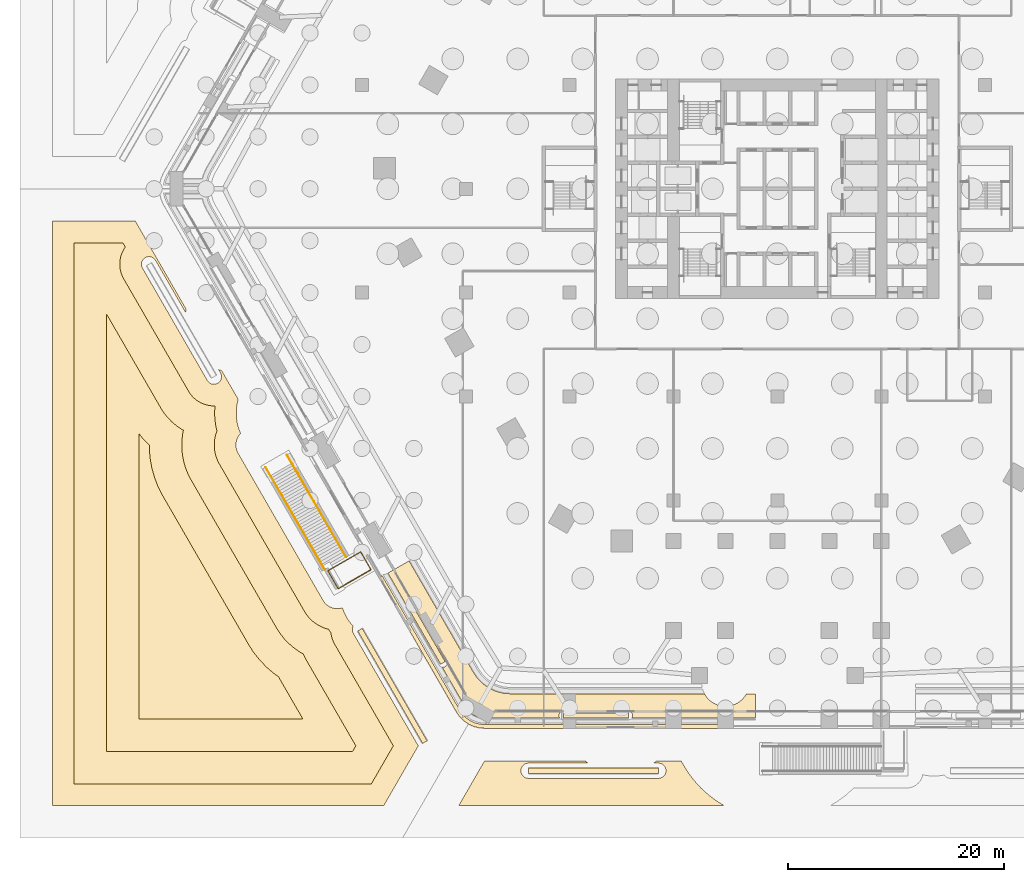
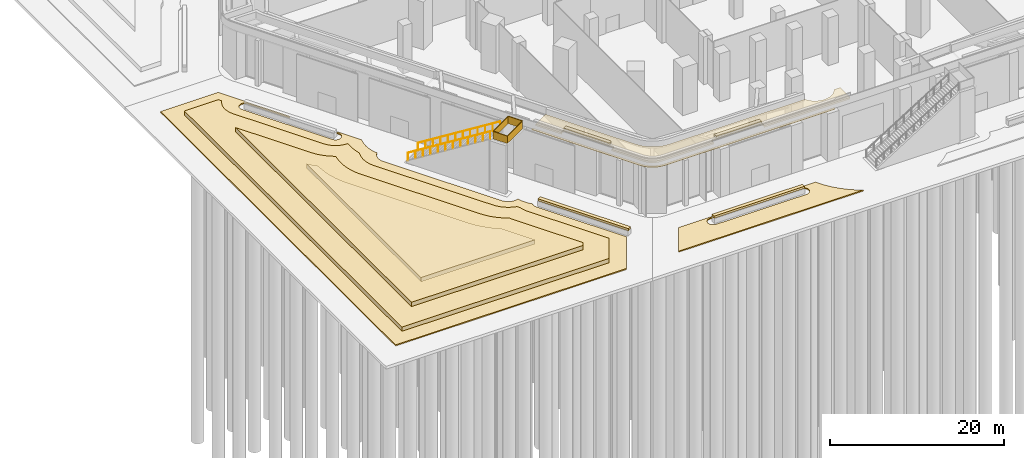
# One storey, part 61 of 68: 11 coverings, 3 railings.
"""IFC4 building model written with IfcOpenShell, lengths in metres."""

from ifc_helpers import new_model, si_unit, direction, frame, frame_2d, origin, origin_2d, place, context, subcontext, project, spatial, polyline, rectangle, circle, outline, extrude, material, layer, layer_set, type_object, element, save


model = new_model("IFC4")

# Units and contexts
model_context = context("Model", 3, precision=1e-05, world=origin(), true_north=direction((0.0, 1.0)))
body_context = subcontext(model_context, "Body", "Model", "MODEL_VIEW")
ifc_project = project(units=[si_unit("LENGTHUNIT", "METRE"), si_unit("AREAUNIT", "SQUARE_METRE"), si_unit("VOLUMEUNIT", "CUBIC_METRE"), si_unit("PLANEANGLEUNIT", "RADIAN"), si_unit("MASSUNIT", "GRAM", prefix="KILO")], contexts=[model_context])

# Site, building, storey
site_placement = place(None, origin())
site = spatial("IfcSite", under=ifc_project, at=site_placement, CompositionType="ELEMENT")
building_placement = place(site_placement, origin())
building = spatial("IfcBuilding", under=site, at=building_placement, Name="Kolab Exchange Tower", CompositionType="ELEMENT")
storey_placement = place(building_placement, origin())
storey = spatial("IfcBuildingStorey", under=building, at=storey_placement, Name="L00", CompositionType="ELEMENT", Elevation=0.0)

# Coverings
ifc_material_1 = material(Name="Planting soil and turf", Category="soil")
ifc_layer_1 = layer(ifc_material_1, 0.60009765625)
ifc_layer_set_1 = layer_set([ifc_layer_1], Name="Planting soil and turf")
covering_type_1 = type_object("IfcCoveringType", Name="GARDEN TERRACE STEP SOIL AND TURF 600", PredefinedType="USERDEFINED", material=ifc_layer_set_1)
covering_1_placement = place(storey_placement, frame((0.0, 0.0, 0.14990234375)))
element("IfcCovering", 1, at=covering_1_placement, inside=storey, type_object=covering_type_1, Name="Garden terrace step", ObjectType="PLANTING", PredefinedType="USERDEFINED", context=body_context, shape_type="SweptSolid", body=[
    extrude(outline(polyline([(-65.0, -5.0), (-60.48681640625, -5.0), (-60.262939453125, -5.3876953125), (-60.372314453125, -5.5458984375), (-60.501220703125, -5.777587890625), (-60.606689453125, -6.02099609375), (-60.687744140625, -6.2734375), (-60.743896484375, -6.53271484375), (-60.774169921875, -6.796142578125), (-60.778564453125, -7.061279296875), (-60.7568359375, -7.32568359375), (-60.709228515625, -7.586669921875), (-60.636474609375, -7.841552734375), (-60.5390625, -8.088134765625), (-60.4404296875, -8.280517578125), (-54.39111328125, -18.7578125), (-54.274169921875, -18.939453125), (-54.109375, -19.14697265625), (-53.9248046875, -19.337646484375), (-53.72265625, -19.50927734375), (-53.504638671875, -19.66015625), (-53.272705078125, -19.7890625), (-53.029541015625, -19.89453125), (-52.77685546875, -19.9755859375), (-52.517822265625, -20.031494140625), (-52.254150390625, -20.061767578125), (-51.989013671875, -20.066162109375), (-51.979736328125, -20.0654296875), (-51.984619140625, -20.09716796875), (-52.015869140625, -20.734619140625), (-51.984619140625, -21.3720703125), (-51.890869140625, -22.003173828125), (-51.79443359375, -22.387939453125), (-51.822021484375, -22.45166015625), (-51.92724609375, -22.77880859375), (-51.999755859375, -23.11474609375), (-52.0390625, -23.456298828125), (-52.044677734375, -23.7998046875), (-52.0166015625, -24.142333984375), (-51.955078125, -24.48046875), (-51.860595703125, -24.81103515625), (-51.734375, -25.130859375), (-51.599853515625, -25.392822265625), (-50.375244140625, -27.513671875), (-44.917724609375, -36.96630859375), (-43.690673828125, -39.091796875), (-43.531005859375, -39.33935546875), (-43.3173828125, -39.6083984375), (-43.078369140625, -39.85546875), (-42.816162109375, -40.077880859375), (-42.53369140625, -40.2734375), (-42.233154296875, -40.4404296875), (-41.917724609375, -40.5771484375), (-41.590576171875, -40.682373046875), (-41.481201171875, -40.705810546875), (-41.320068359375, -40.974853515625), (-41.260498046875, -41.054931640625), (-41.2568359375, -41.1005859375), (-41.209228515625, -41.361572265625), (-41.136474609375, -41.61669921875), (-41.0390625, -41.86328125), (-40.9404296875, -42.055419921875), (-35.497314453125, -51.483154296875), (-37.52783203125, -55.0), (-65.0, -55.0), (-65.0, -5.0)])), origin(), (0.0, 0.0, 1.0), 0.60009765625),
])
covering_2_placement = place(storey_placement, frame((0.0, 0.0, 0.75)))
element("IfcCovering", 2, at=covering_2_placement, inside=storey, type_object=covering_type_1, Name="Garden terrace step", ObjectType="PLANTING", PredefinedType="USERDEFINED", context=body_context, shape_type="SweptSolid", body=[
    extrude(outline(polyline([(-62.0, -11.578857421875), (-56.952392578125, -20.321533203125), (-56.715576171875, -20.68896484375), (-56.367431640625, -21.12744140625), (-55.97802734375, -21.52978515625), (-55.551025390625, -21.89208984375), (-55.090576171875, -22.2109375), (-54.89697265625, -22.318603515625), (-54.963134765625, -22.62548828125), (-55.0361328125, -23.259765625), (-55.046630859375, -23.898193359375), (-54.994384765625, -24.534423828125), (-54.880126953125, -25.16259765625), (-54.704833984375, -25.776611328125), (-54.47021484375, -26.370361328125), (-54.234619140625, -26.8291015625), (-52.973388671875, -29.013671875), (-47.515869140625, -38.46630859375), (-46.251953125, -40.655517578125), (-45.972412109375, -41.0888671875), (-45.57568359375, -41.5888671875), (-45.131591796875, -42.047607421875), (-44.644775390625, -42.460693359375), (-44.11962890625, -42.82421875), (-43.819091796875, -42.9912109375), (-43.77490234375, -43.102783203125), (-43.5751953125, -43.49169921875), (-38.96142578125, -51.483154296875), (-39.259765625, -52.0), (-62.0, -52.0), (-62.0, -11.578857421875)])), origin(), (0.0, 0.0, 1.0), 0.60009765625),
])
covering_3_placement = place(storey_placement, frame((0.0, 0.0, 1.35009765625)))
element("IfcCovering", 3, at=covering_3_placement, inside=storey, type_object=covering_type_1, Name="Garden terrace step", ObjectType="PLANTING", PredefinedType="USERDEFINED", context=body_context, shape_type="SweptSolid", body=[
    extrude(outline(polyline([(-59.0, -22.636474609375), (-58.625732421875, -23.10791015625), (-58.0439453125, -23.708984375), (-58.048583984375, -23.996337890625), (-57.972412109375, -24.926513671875), (-57.805419921875, -25.8447265625), (-57.549072265625, -26.741943359375), (-57.2060546875, -27.60986328125), (-56.86962890625, -28.26513671875), (-55.5712890625, -30.513671875), (-50.11376953125, -39.96630859375), (-48.813232421875, -42.21923828125), (-48.4140625, -42.83837890625), (-47.833740234375, -43.5693359375), (-47.184814453125, -44.239990234375), (-46.47314453125, -44.84375), (-46.115966796875, -45.091064453125), (-43.859130859375, -49.0), (-59.0, -49.0), (-59.0, -22.636474609375)])), origin(), (0.0, 0.0, 1.0), 0.599853515625),
])

# Railings
ifc_material_2 = material(Name="Steel S235", Category="steel")
railing_type = type_object("IfcRailingType", Name="GUARD 1100 GLASS BALUSTRADE AND STEEL TOP RAIL", PredefinedType="GUARDRAIL", material=ifc_material_2)
railing_1_placement = place(storey_placement, frame((-45.317626953125, -24.59375, 0.175048828125)))
element("IfcRailing", 4, at=railing_1_placement, inside=storey, type_object=railing_type, Name="Stair guard", PredefinedType="GUARDRAIL", context=body_context, shape_type="SweptSolid", body=[
    extrude(circle(Radius=0.02490234375, at=origin_2d()), frame((0.0, 0.0, 1.0751953125), z_axis=(0.423996697712, -0.73439170464, 0.52999587214), x_axis=(0.866027727466, 0.499995975244, 0.0)), (0.0, 0.0, 1.0), 12.87744140625),
    extrude(circle(Radius=0.02001953125, at=origin_2d()), origin(), (0.0, 0.0, 1.0), 1.050048828125),
    extrude(circle(Radius=0.02001953125, at=origin_2d()), frame((0.496337890625, -0.859619140625, 0.620361328125)), (0.0, 0.0, 1.0), 1.050048828125),
    extrude(circle(Radius=0.02001953125, at=origin_2d()), frame((0.99267578125, -1.719482421875, 1.240966796875)), (0.0, 0.0, 1.0), 1.050048828125),
    extrude(circle(Radius=0.02001953125, at=origin_2d()), frame((1.489013671875, -2.5791015625, 1.861328125)), (0.0, 0.0, 1.0), 1.050048828125),
    extrude(circle(Radius=0.02001953125, at=origin_2d()), frame((1.9853515625, -3.43896484375, 2.481689453125)), (0.0, 0.0, 1.0), 1.050048828125),
    extrude(circle(Radius=0.02001953125, at=origin_2d()), frame((2.481689453125, -4.298583984375, 3.102294921875)), (0.0, 0.0, 1.0), 1.050048828125),
    extrude(circle(Radius=0.02001953125, at=origin_2d()), frame((2.978271484375, -5.158447265625, 3.72265625)), (0.0, 0.0, 1.0), 1.050048828125),
    extrude(circle(Radius=0.02001953125, at=origin_2d()), frame((3.474609375, -6.01806640625, 4.34326171875)), (0.0, 0.0, 1.0), 1.050048828125),
    extrude(circle(Radius=0.02001953125, at=origin_2d()), frame((3.970947265625, -6.8779296875, 4.963623046875)), (0.0, 0.0, 1.0), 1.050048828125),
    extrude(circle(Radius=0.02001953125, at=origin_2d()), frame((4.46728515625, -7.737548828125, 5.583984375)), (0.0, 0.0, 1.0), 1.050048828125),
    extrude(circle(Radius=0.02001953125, at=origin_2d()), frame((4.963623046875, -8.597412109375, 6.20458984375)), (0.0, 0.0, 1.0), 1.050048828125),
    extrude(circle(Radius=0.02001953125, at=origin_2d()), frame((5.4599609375, -9.45703125, 6.824951171875)), (0.0, 0.0, 1.0), 1.050048828125),
])
railing_2_placement = place(storey_placement, frame((-47.292236328125, -25.733642578125, 0.175048828125)))
element("IfcRailing", 5, at=railing_2_placement, inside=storey, type_object=railing_type, Name="Stair guard", PredefinedType="GUARDRAIL", context=body_context, shape_type="SweptSolid", body=[
    extrude(circle(Radius=0.02490234375, at=origin_2d()), frame((0.0, 0.0, 1.0751953125), z_axis=(0.424012248117, -0.734385801165, 0.52999161172), x_axis=(0.866018046521, 0.500012742938, 0.0)), (0.0, 0.0, 1.0), 12.87744140625),
    extrude(circle(Radius=0.02001953125, at=origin_2d()), origin(), (0.0, 0.0, 1.0), 1.050048828125),
    extrude(circle(Radius=0.02001953125, at=origin_2d()), frame((0.496337890625, -0.859619140625, 0.620361328125)), (0.0, 0.0, 1.0), 1.050048828125),
    extrude(circle(Radius=0.02001953125, at=origin_2d()), frame((0.99267578125, -1.719482421875, 1.240966796875)), (0.0, 0.0, 1.0), 1.050048828125),
    extrude(circle(Radius=0.02001953125, at=origin_2d()), frame((1.4892578125, -2.5791015625, 1.861328125)), (0.0, 0.0, 1.0), 1.050048828125),
    extrude(circle(Radius=0.02001953125, at=origin_2d()), frame((1.985595703125, -3.43896484375, 2.481689453125)), (0.0, 0.0, 1.0), 1.050048828125),
    extrude(circle(Radius=0.02001953125, at=origin_2d()), frame((2.48193359375, -4.298583984375, 3.102294921875)), (0.0, 0.0, 1.0), 1.050048828125),
    extrude(circle(Radius=0.02001953125, at=origin_2d()), frame((2.978271484375, -5.158447265625, 3.72265625)), (0.0, 0.0, 1.0), 1.050048828125),
    extrude(circle(Radius=0.02001953125, at=origin_2d()), frame((3.474609375, -6.01806640625, 4.34326171875)), (0.0, 0.0, 1.0), 1.050048828125),
    extrude(circle(Radius=0.02001953125, at=origin_2d()), frame((3.970947265625, -6.8779296875, 4.963623046875)), (0.0, 0.0, 1.0), 1.050048828125),
    extrude(circle(Radius=0.02001953125, at=origin_2d()), frame((4.467529296875, -7.737548828125, 5.583984375)), (0.0, 0.0, 1.0), 1.050048828125),
    extrude(circle(Radius=0.02001953125, at=origin_2d()), frame((4.9638671875, -8.597412109375, 6.20458984375)), (0.0, 0.0, 1.0), 1.050048828125),
    extrude(circle(Radius=0.02001953125, at=origin_2d()), frame((5.460205078125, -9.45703125, 6.824951171875)), (0.0, 0.0, 1.0), 1.050048828125),
])
railing_3_placement = place(storey_placement, frame((-37.5615234375, -35.207763671875, 7.0)))
element("IfcRailing", 6, at=railing_3_placement, inside=storey, type_object=railing_type, Name="Landing guard", PredefinedType="GUARDRAIL", context=body_context, shape_type="SweptSolid", body=[
    extrude(rectangle(XDim=0.05, YDim=0.05, at=origin_2d()), frame((0.0, 0.0, 1.0751953125), z_axis=(-0.866019471182, -0.500010275428, 0.0), x_axis=(0.500010275428, -0.866019471182, 0.0)), (0.0, 0.0, 1.0), 3.5),
    extrude(rectangle(XDim=0.012, YDim=1.05009765625, at=frame_2d((0.0, 0.525146484375))), frame((0.0, 0.0, 0.0), z_axis=(-0.866019471182, -0.500010275428, 0.0), x_axis=(0.500010275428, -0.866019471182, 0.0)), (0.0, 0.0, 1.0), 3.5),
    extrude(rectangle(XDim=0.05, YDim=0.05, at=origin_2d()), frame((-3.031005859375, -1.75, 1.0751953125), z_axis=(-0.50002564956, 0.866010594497, 0.0), x_axis=(-0.866010594497, -0.50002564956, 0.0)), (0.0, 0.0, 1.0), 1.9052734375),
    extrude(rectangle(XDim=0.012, YDim=1.05009765625, at=frame_2d((0.0, 0.525146484375))), frame((-3.031005859375, -1.75, 0.0), z_axis=(-0.50002564956, 0.866010594497, 0.0), x_axis=(-0.866010594497, -0.50002564956, 0.0)), (0.0, 0.0, 1.0), 1.9052734375),
    extrude(rectangle(XDim=0.05, YDim=0.05, at=origin_2d()), frame((-3.983642578125, -0.10009765625, 1.0751953125), z_axis=(0.866036909293, 0.499980071345, 0.0), x_axis=(-0.499980071345, 0.866036909293, 0.0)), (0.0, 0.0, 1.0), 3.500244140625),
    extrude(rectangle(XDim=0.012, YDim=1.05009765625, at=frame_2d((0.0, 0.525146484375))), frame((-3.983642578125, -0.10009765625, 0.0), z_axis=(0.866036909293, 0.499980071345, 0.0), x_axis=(-0.499980071345, 0.866036909293, 0.0)), (0.0, 0.0, 1.0), 3.500244140625),
    extrude(rectangle(XDim=0.05, YDim=0.05, at=origin_2d()), frame((-0.952392578125, 1.64990234375, 1.0751953125), z_axis=(0.499929534118, -0.866066083458, 0.0), x_axis=(0.866066083458, 0.499929534118, 0.0)), (0.0, 0.0, 1.0), 1.905029296875),
    extrude(rectangle(XDim=0.012, YDim=1.05009765625, at=frame_2d((0.0, 0.525146484375))), frame((-0.952392578125, 1.64990234375, 0.0), z_axis=(0.499929534118, -0.866066083458, 0.0), x_axis=(0.866066083458, 0.499929534118, 0.0)), (0.0, 0.0, 1.0), 1.905029296875),
])

# Coverings
ifc_layer_2 = layer(ifc_material_1, 0.25)
ifc_layer_set_2 = layer_set([ifc_layer_2], Name="Planting soil and turf")
covering_type_2 = type_object("IfcCoveringType", Name="PLANTING SOIL AND TURF 250", PredefinedType="USERDEFINED", material=ifc_layer_set_2)
covering_4_placement = place(storey_placement, frame((0.0, 0.0, 7.0)))
element("IfcCovering", 7, at=covering_4_placement, inside=storey, type_object=covering_type_2, Name="Planting soil and turf", ObjectType="PLANTING", PredefinedType="USERDEFINED", context=body_context, shape_type="SweptSolid", body=[
    extrude(outline(polyline([(-28.068115234375, -44.737060546875), (-27.696533203125, -45.267578125), (-27.209228515625, -45.7548828125), (-26.644775390625, -46.150146484375), (-26.020263671875, -46.44140625), (-25.3544921875, -46.61962890625), (-24.70947265625, -46.676025390625), (-6.732421875, -46.676025390625), (-6.629150390625, -46.848388671875), (-6.500732421875, -47.021728515625), (-6.355712890625, -47.181884765625), (-6.195556640625, -47.32666015625), (-6.022216796875, -47.455322265625), (-5.837158203125, -47.56640625), (-5.641845703125, -47.65869140625), (-5.438720703125, -47.7314453125), (-5.229248046875, -47.783935546875), (-5.015625, -47.8154296875), (-4.800048828125, -47.826171875), (-4.58447265625, -47.8154296875), (-4.370849609375, -47.783935546875), (-4.161376953125, -47.7314453125), (-3.9580078125, -47.65869140625), (-3.762939453125, -47.56640625), (-3.57763671875, -47.455322265625), (-3.404296875, -47.32666015625), (-3.244384765625, -47.181884765625), (-3.099365234375, -47.021728515625), (-2.970703125, -46.848388671875), (-2.867431640625, -46.676025390625), (-2.0400390625, -46.676025390625), (-2.0400390625, -48.93310546875), (-13.47021484375, -48.93310546875), (-13.449462890625, -48.9052734375), (-13.429443359375, -48.87158203125), (-13.41259765625, -48.836181640625), (-13.3994140625, -48.799072265625), (-13.389892578125, -48.760986328125), (-13.384033203125, -48.72216796875), (-13.382080078125, -48.68310546875), (-13.384033203125, -48.643798828125), (-13.389892578125, -48.60498046875), (-13.3994140625, -48.56689453125), (-13.41259765625, -48.530029296875), (-13.429443359375, -48.494384765625), (-13.449462890625, -48.4609375), (-13.472900390625, -48.42919921875), (-13.499267578125, -48.400146484375), (-13.5283203125, -48.373779296875), (-13.559814453125, -48.3505859375), (-13.593505859375, -48.330322265625), (-13.629150390625, -48.3134765625), (-13.666015625, -48.30029296875), (-13.7041015625, -48.290771484375), (-13.742919921875, -48.284912109375), (-13.7822265625, -48.282958984375), (-19.7822265625, -48.282958984375), (-19.8212890625, -48.284912109375), (-19.860107421875, -48.290771484375), (-19.898193359375, -48.30029296875), (-19.935302734375, -48.3134765625), (-19.970703125, -48.330322265625), (-20.00439453125, -48.3505859375), (-20.035888671875, -48.373779296875), (-20.06494140625, -48.400146484375), (-20.09130859375, -48.42919921875), (-20.11474609375, -48.4609375), (-20.135009765625, -48.494384765625), (-20.151611328125, -48.530029296875), (-20.164794921875, -48.56689453125), (-20.174560546875, -48.60498046875), (-20.18017578125, -48.643798828125), (-20.18212890625, -48.68310546875), (-20.18017578125, -48.72216796875), (-20.174560546875, -48.760986328125), (-20.164794921875, -48.799072265625), (-20.151611328125, -48.836181640625), (-20.135009765625, -48.87158203125), (-20.11474609375, -48.9052734375), (-20.09423828125, -48.93310546875), (-27.0263671875, -48.93310546875), (-27.42333984375, -48.8984375), (-27.767822265625, -48.805908203125), (-28.091064453125, -48.6552734375), (-28.38330078125, -48.45068359375), (-28.635498046875, -48.198486328125), (-28.864013671875, -47.8720703125), (-30.976806640625, -44.212646484375), (-30.9423828125, -44.216552734375), (-30.9033203125, -44.21728515625), (-30.864013671875, -44.214111328125), (-30.825439453125, -44.20703125), (-30.787841796875, -44.1962890625), (-30.751220703125, -44.181884765625), (-30.71630859375, -44.163818359375), (-30.683349609375, -44.142578125), (-30.652587890625, -44.1181640625), (-30.624267578125, -44.091064453125), (-30.598876953125, -44.06103515625), (-30.57666015625, -44.02880859375), (-30.5576171875, -43.994384765625), (-30.5419921875, -43.95849609375), (-30.530029296875, -43.921142578125), (-30.521728515625, -43.882568359375), (-30.51708984375, -43.84375), (-30.5166015625, -43.804443359375), (-30.519775390625, -43.765380859375), (-30.52685546875, -43.7265625), (-30.53759765625, -43.68896484375), (-30.552001953125, -43.65234375), (-30.56982421875, -43.617431640625), (-33.56982421875, -38.42138671875), (-33.591064453125, -38.388427734375), (-33.615478515625, -38.357666015625), (-33.642822265625, -38.329345703125), (-33.6728515625, -38.303955078125), (-33.705078125, -38.28173828125), (-33.739501953125, -38.2626953125), (-33.775390625, -38.2470703125), (-33.812744140625, -38.235107421875), (-33.85107421875, -38.226806640625), (-33.89013671875, -38.22216796875), (-33.929443359375, -38.2216796875), (-33.968505859375, -38.224853515625), (-34.007080078125, -38.231689453125), (-34.044921875, -38.24267578125), (-34.081298828125, -38.257080078125), (-34.1162109375, -38.27490234375), (-34.1494140625, -38.296142578125), (-34.179931640625, -38.320556640625), (-34.208251953125, -38.347900390625), (-34.233642578125, -38.3779296875), (-34.256103515625, -38.41015625), (-34.275146484375, -38.4443359375), (-34.288818359375, -38.47607421875), (-35.997314453125, -35.51708984375), (-34.042724609375, -34.388671875), (-28.068115234375, -44.737060546875)])), origin(), (0.0, 0.0, 1.0), 0.25),
])
covering_5_placement = place(storey_placement, frame((0.0, 0.0, 7.699951171875)))
element("IfcCovering", 8, at=covering_5_placement, inside=storey, type_object=covering_type_2, Name="Planting soil and turf", ObjectType="PLANTING", PredefinedType="USERDEFINED", context=body_context, shape_type="SweptSolid", body=[
    extrude(outline(polyline([(-19.7822265625, -48.923095703125), (-19.7822265625, -48.443115234375), (-13.7822265625, -48.443115234375), (-13.7822265625, -48.923095703125), (-19.7822265625, -48.923095703125)])), origin(), (0.0, 0.0, 1.0), 0.300048828125),
])
covering_6_placement = place(storey_placement, frame((0.0, 0.0, 7.699951171875)))
element("IfcCovering", 9, at=covering_6_placement, inside=storey, type_object=covering_type_2, Name="Planting soil and turf", ObjectType="PLANTING", PredefinedType="USERDEFINED", context=body_context, shape_type="SweptSolid", body=[
    extrude(outline(polyline([(-34.123779296875, -38.7412109375), (-33.7080078125, -38.501220703125), (-30.7080078125, -43.697265625), (-31.123779296875, -43.937255859375), (-34.123779296875, -38.7412109375)])), origin(), (0.0, 0.0, 1.0), 0.300048828125),
])
covering_7_placement = place(storey_placement, frame((0.0, 0.0, 0.699951171875)))
element("IfcCovering", 10, at=covering_7_placement, inside=storey, type_object=covering_type_2, Name="Planting soil and turf", ObjectType="PLANTING", PredefinedType="USERDEFINED", context=body_context, shape_type="SweptSolid", body=[
    extrude(outline(polyline([(-23.0, -54.02294921875), (-23.0, -53.54296875), (-11.0, -53.54296875), (-11.0, -54.02294921875), (-23.0, -54.02294921875)])), origin(), (0.0, 0.0, 1.0), 0.300048828125),
])
covering_8_placement = place(storey_placement, frame((0.0, 0.0, 0.699951171875)))
element("IfcCovering", 11, at=covering_8_placement, inside=storey, type_object=covering_type_2, Name="Planting soil and turf", ObjectType="PLANTING", PredefinedType="USERDEFINED", context=body_context, shape_type="SweptSolid", body=[
    extrude(outline(polyline([(-38.785400390625, -40.867919921875), (-38.36962890625, -40.6279296875), (-32.36962890625, -51.020263671875), (-32.785400390625, -51.26025390625), (-38.785400390625, -40.867919921875)])), origin(), (0.0, 0.0, 1.0), 0.300048828125),
])
covering_9_placement = place(storey_placement, origin())
element("IfcCovering", 12, at=covering_9_placement, inside=storey, type_object=covering_type_2, Name="Planting soil and turf", ObjectType="PLANTING", PredefinedType="USERDEFINED", context=body_context, shape_type="SweptSolid", body=[
    extrude(outline(polyline([(-67.0, -3.0), (-59.33203125, -3.0), (-54.6279296875, -11.147705078125), (-54.69775390625, -11.4267578125), (-57.47119140625, -6.623046875), (-57.508544921875, -6.565185546875), (-57.55126953125, -6.511474609375), (-57.598876953125, -6.462158203125), (-57.6513671875, -6.41748046875), (-57.707763671875, -6.37841796875), (-57.767822265625, -6.34521484375), (-57.830810546875, -6.31787109375), (-57.896240234375, -6.296875), (-57.96337890625, -6.2822265625), (-58.03173828125, -6.2744140625), (-58.100341796875, -6.2734375), (-58.1689453125, -6.279052734375), (-58.236572265625, -6.291259765625), (-58.302490234375, -6.31005859375), (-58.366455078125, -6.33544921875), (-58.427490234375, -6.36669921875), (-58.4853515625, -6.404052734375), (-58.5390625, -6.44677734375), (-58.58837890625, -6.494384765625), (-58.6328125, -6.546875), (-58.671875, -6.603271484375), (-58.705322265625, -6.663330078125), (-58.732666015625, -6.726318359375), (-58.753662109375, -6.791748046875), (-58.76806640625, -6.85888671875), (-58.77587890625, -6.92724609375), (-58.777099609375, -6.995849609375), (-58.771484375, -7.064208984375), (-58.75927734375, -7.1318359375), (-58.740234375, -7.197998046875), (-58.715087890625, -7.261962890625), (-58.683837890625, -7.322998046875), (-52.683837890625, -17.71533203125), (-52.646484375, -17.77294921875), (-52.603759765625, -17.826904296875), (-52.555908203125, -17.876220703125), (-52.503662109375, -17.920654296875), (-52.447265625, -17.959716796875), (-52.38720703125, -17.9931640625), (-52.323974609375, -18.0205078125), (-52.2587890625, -18.04150390625), (-52.19140625, -18.055908203125), (-52.123291015625, -18.063720703125), (-52.0546875, -18.06494140625), (-51.986083984375, -18.059326171875), (-51.91845703125, -18.046875), (-51.8525390625, -18.028076171875), (-51.78857421875, -18.0029296875), (-51.7275390625, -17.971435546875), (-51.669677734375, -17.934326171875), (-51.615966796875, -17.8916015625), (-51.566650390625, -17.84375), (-51.522216796875, -17.79150390625), (-51.483154296875, -17.73486328125), (-51.44970703125, -17.6748046875), (-51.42236328125, -17.61181640625), (-51.4013671875, -17.54638671875), (-51.386962890625, -17.479248046875), (-51.37890625, -17.4111328125), (-51.3779296875, -17.34228515625), (-51.383544921875, -17.27392578125), (-51.395751953125, -17.206298828125), (-51.41455078125, -17.14013671875), (-51.43994140625, -17.076416015625), (-51.47119140625, -17.01513671875), (-51.642333984375, -16.71875), (-51.61962890625, -16.72705078125), (-51.370849609375, -16.789306640625), (-49.827880859375, -19.461669921875), (-49.927001953125, -19.856689453125), (-49.99169921875, -20.29345703125), (-50.013427734375, -20.734619140625), (-49.99169921875, -21.17578125), (-49.927001953125, -21.612548828125), (-49.819580078125, -22.040771484375), (-49.6708984375, -22.456787109375), (-49.594970703125, -22.6171875), (-49.638916015625, -22.659912109375), (-49.734130859375, -22.772216796875), (-49.81787109375, -22.89306640625), (-49.889404296875, -23.021728515625), (-49.947998046875, -23.156982421875), (-49.992919921875, -23.297119140625), (-50.024169921875, -23.44091796875), (-50.040771484375, -23.587158203125), (-50.043212890625, -23.734375), (-50.03125, -23.881103515625), (-50.0048828125, -24.02587890625), (-49.964599609375, -24.16748046875), (-49.910400390625, -24.304443359375), (-49.84326171875, -24.435302734375), (-48.64306640625, -26.513671875), (-48.64306640625, -26.513671875), (-48.64306640625, -26.513671875), (-43.185546875, -35.96630859375), (-43.185546875, -35.96630859375), (-41.983154296875, -38.04931640625), (-41.9033203125, -38.1728515625), (-41.811767578125, -38.288330078125), (-41.70947265625, -38.39404296875), (-41.59716796875, -38.4892578125), (-41.476318359375, -38.572998046875), (-41.34765625, -38.64453125), (-41.21240234375, -38.703125), (-41.072265625, -38.748046875), (-40.928466796875, -38.779052734375), (-40.7822265625, -38.7958984375), (-40.635009765625, -38.79833984375), (-40.48828125, -38.786376953125), (-40.343505859375, -38.760009765625), (-40.201904296875, -38.719482421875), (-40.201416015625, -38.719482421875), (-40.07080078125, -39.08447265625), (-39.882080078125, -39.483642578125), (-39.655029296875, -39.8623046875), (-39.391845703125, -40.217041015625), (-39.199951171875, -40.4287109375), (-39.205322265625, -40.438232421875), (-39.232666015625, -40.50146484375), (-39.253662109375, -40.566650390625), (-39.26806640625, -40.6337890625), (-39.27587890625, -40.7021484375), (-39.277099609375, -40.770751953125), (-39.271484375, -40.83935546875), (-39.25927734375, -40.906982421875), (-39.240234375, -40.972900390625), (-39.215087890625, -41.036865234375), (-39.183837890625, -41.097900390625), (-33.187744140625, -51.483154296875), (-36.373046875, -57.0), (-67.0, -57.0), (-67.0, -3.0)])), origin(), (0.0, 0.0, 1.0), 0.14990234375),
])
covering_10_placement = place(storey_placement, origin())
element("IfcCovering", 13, at=covering_10_placement, inside=storey, type_object=covering_type_2, Name="Planting soil and turf", ObjectType="PLANTING", PredefinedType="USERDEFINED", context=body_context, shape_type="SweptSolid", body=[
    extrude(outline(polyline([(-17.731201171875, -52.883056640625), (-17.656982421875, -52.965087890625), (-17.52685546875, -53.0830078125), (-23.0, -53.0830078125), (-23.068603515625, -53.08642578125), (-23.136474609375, -53.096435546875), (-23.203125, -53.11328125), (-23.267822265625, -53.13623046875), (-23.330078125, -53.165771484375), (-23.388916015625, -53.200927734375), (-23.444091796875, -53.241943359375), (-23.494873046875, -53.2880859375), (-23.541015625, -53.3388671875), (-23.58203125, -53.39404296875), (-23.617431640625, -53.453125), (-23.646728515625, -53.51513671875), (-23.669921875, -53.579833984375), (-23.6865234375, -53.646484375), (-23.696533203125, -53.71435546875), (-23.699951171875, -53.782958984375), (-23.696533203125, -53.8515625), (-23.6865234375, -53.919677734375), (-23.669921875, -53.986328125), (-23.646728515625, -54.051025390625), (-23.617431640625, -54.113037109375), (-23.58203125, -54.171875), (-23.541015625, -54.22705078125), (-23.494873046875, -54.278076171875), (-23.444091796875, -54.32421875), (-23.388916015625, -54.364990234375), (-23.330078125, -54.400390625), (-23.267822265625, -54.4296875), (-23.203125, -54.452880859375), (-23.136474609375, -54.4697265625), (-23.068603515625, -54.479736328125), (-23.0, -54.483154296875), (-11.0, -54.483154296875), (-10.931396484375, -54.479736328125), (-10.863525390625, -54.4697265625), (-10.796875, -54.452880859375), (-10.732177734375, -54.4296875), (-10.669921875, -54.400390625), (-10.611083984375, -54.364990234375), (-10.555908203125, -54.32421875), (-10.505126953125, -54.278076171875), (-10.458984375, -54.22705078125), (-10.41796875, -54.171875), (-10.382568359375, -54.113037109375), (-10.353271484375, -54.051025390625), (-10.330078125, -53.986328125), (-10.3134765625, -53.919677734375), (-10.303466796875, -53.8515625), (-10.300048828125, -53.782958984375), (-10.303466796875, -53.71435546875), (-10.3134765625, -53.646484375), (-10.330078125, -53.579833984375), (-10.353271484375, -53.51513671875), (-10.382568359375, -53.453125), (-10.41796875, -53.39404296875), (-10.458984375, -53.3388671875), (-10.505126953125, -53.2880859375), (-10.555908203125, -53.241943359375), (-10.611083984375, -53.200927734375), (-10.669921875, -53.165771484375), (-10.732177734375, -53.13623046875), (-10.796875, -53.11328125), (-10.863525390625, -53.096435546875), (-10.931396484375, -53.08642578125), (-11.0, -53.0830078125), (-11.42333984375, -53.0830078125), (-11.29296875, -52.965087890625), (-11.21875, -52.883056640625), (-8.882568359375, -52.883056640625), (-8.819091796875, -53.01708984375), (-8.314697265625, -53.85888671875), (-7.730224609375, -54.64697265625), (-7.071044921875, -55.3740234375), (-6.343994140625, -56.033203125), (-5.5556640625, -56.61767578125), (-4.91796875, -57.0), (-29.44482421875, -57.0), (-27.06787109375, -52.883056640625), (-17.731201171875, -52.883056640625)])), origin(), (0.0, 0.0, 1.0), 0.14990234375),
])
ifc_material_3 = material(Name="Limestone coping", Category="masonry")
ifc_layer_3 = layer(ifc_material_3, 0.050048828125)
ifc_layer_set_3 = layer_set([ifc_layer_3], Name="Limestone coping")
covering_type_3 = type_object("IfcCoveringType", Name="TERRACE EDGE BAND LIMESTONE 50", PredefinedType="CLADDING", material=ifc_layer_set_3)
covering_11_placement = place(storey_placement, frame((0.0, 0.0, 7.0)))
element("IfcCovering", 14, at=covering_11_placement, inside=storey, type_object=covering_type_3, Name="Terrace edge band", PredefinedType="CLADDING", context=body_context, shape_type="SweptSolid", body=[
    extrude(outline(polyline([(-27.067138671875, -49.863037109375), (-27.58544921875, -49.817626953125), (-28.087158203125, -49.683349609375), (-28.557861328125, -49.4638671875), (-28.9833984375, -49.165771484375), (-29.3505859375, -48.798583984375), (-29.649169921875, -48.372314453125), (-36.80322265625, -35.981201171875), (-36.75390625, -35.949462890625), (-36.692626953125, -35.900634765625), (-36.63623046875, -35.845947265625), (-36.585205078125, -35.7861328125), (-36.545166015625, -35.72802734375), (-29.353759765625, -48.18408203125), (-29.08154296875, -48.57275390625), (-28.757568359375, -48.896728515625), (-28.38232421875, -49.159423828125), (-27.967041015625, -49.35302734375), (-27.5244140625, -49.4716796875), (-27.0517578125, -49.51318359375), (-4.468994140625, -49.51318359375), (-4.4990234375, -49.576904296875), (-4.525634765625, -49.65087890625), (-4.544677734375, -49.72705078125), (-4.55615234375, -49.8046875), (-4.55908203125, -49.863037109375), (-27.067138671875, -49.863037109375)])), origin(), (0.0, 0.0, 1.0), 0.050048828125),
])

save(model, "model.ifc")
